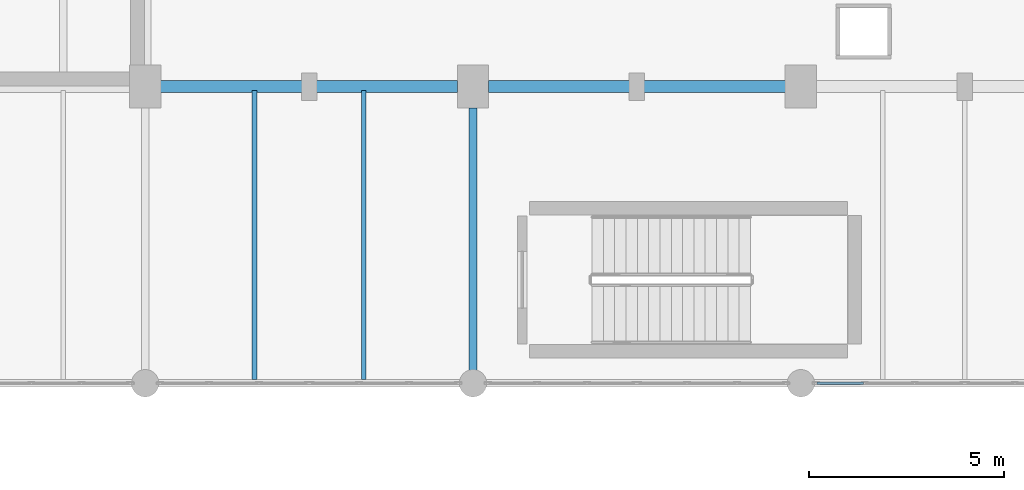
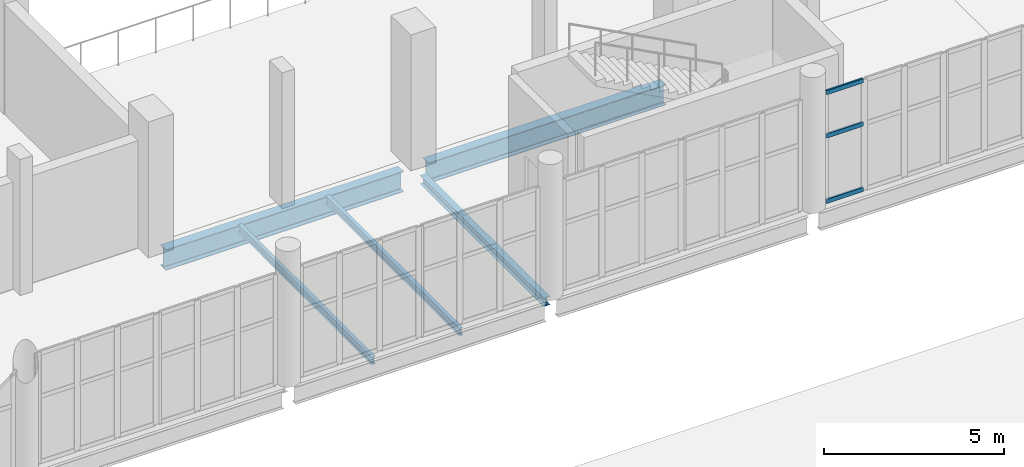
# One storey, part 52 of 136: 5 beams, 3 members, 1 element without a shape of its own.
"""IFC4 building model written with IfcOpenShell, lengths in metres."""

from ifc_helpers import new_model, si_unit, direction, frame, origin, origin_2d, place, context, subcontext, project, spatial, hollow_rectangle, i_section, extrude, material, material_profile, profile_set, type_object, element, aggregate, save


model = new_model("IFC4")

# Units and contexts
model_context = context("Model", 3, precision=1e-05, world=origin(), true_north=direction((0.0, 1.0)))
body_context = subcontext(model_context, "Body", "Model", "MODEL_VIEW")
ifc_project = project(units=[si_unit("LENGTHUNIT", "METRE"), si_unit("AREAUNIT", "SQUARE_METRE"), si_unit("VOLUMEUNIT", "CUBIC_METRE"), si_unit("PLANEANGLEUNIT", "RADIAN"), si_unit("MASSUNIT", "GRAM", prefix="KILO")], contexts=[model_context])

# Site, building, storey
site_placement = place(None, origin())
site = spatial("IfcSite", under=ifc_project, at=site_placement, CompositionType="ELEMENT")
building_placement = place(site_placement, origin())
building = spatial("IfcBuilding", under=site, at=building_placement, Name="Shengluoqiao Park Theatre", CompositionType="ELEMENT")
storey_placement = place(building_placement, frame((0.0, 0.0, 10.0)))
storey = spatial("IfcBuildingStorey", under=building, at=storey_placement, Name="L02", CompositionType="ELEMENT", Elevation=10.0)

# Curtain wall, members
ifc_material_1 = material(Name="Aluminium 6063-T6", Category="aluminium")
curtain_wall_type = type_object("IfcCurtainWallType", Name="ENV-CW-PROM", PredefinedType="NOTDEFINED", material=ifc_material_1)
curtain_wall_placement = place(storey_placement, origin())
curtain_wall = element("IfcCurtainWall", 1, at=curtain_wall_placement, inside=storey, type_object=curtain_wall_type, Name="L02 Curtain Wall CW-L02-0074", PredefinedType="NOTDEFINED")
ifc_material_profile_1 = material_profile(ifc_material_1, hollow_rectangle(XDim=0.06494140625, YDim=0.14990234375, WallThickness=0.00390625, InnerFilletRadius=0.00390625, OuterFilletRadius=0.008056640625, at=origin_2d()), Name="ALU TRANSOM 150x65x4")
ifc_profile_set_1 = profile_set([ifc_material_profile_1], Name="Aluminium 6063-T6")
member_type = type_object("IfcMemberType", Name="ENV-TRN-150", PredefinedType="USERDEFINED", material=ifc_profile_set_1)
member_1_placement = place(storey_placement, frame((78.4189453125, 68.39990234375, 0.032470703125), z_axis=(1.0, 0.0, 0.0), x_axis=(0.0, 1.0, 0.0)))
member_1 = element("IfcMember", 2, at=member_1_placement, type_object=member_type, Name="CW-04 transom 1.1", ObjectType="TRANSOM", PredefinedType="USERDEFINED", context=body_context, shape_type="SweptSolid", body=[
    extrude(hollow_rectangle(XDim=0.06494140625, YDim=0.14990234375, WallThickness=0.00390625, InnerFilletRadius=0.00390625, OuterFilletRadius=0.008056640625, at=origin_2d()), origin(), (0.0, 0.0, 1.0), 1.1845703125),
])
member_2_placement = place(storey_placement, frame((78.4189453125, 68.39990234375, 2.2451171875), z_axis=(1.0, 0.0, 0.0), x_axis=(0.0, 1.0, 0.0)))
member_2 = element("IfcMember", 3, at=member_2_placement, type_object=member_type, Name="CW-04 transom 1.2", ObjectType="TRANSOM", PredefinedType="USERDEFINED", context=body_context, shape_type="SweptSolid", body=[
    extrude(hollow_rectangle(XDim=0.06494140625, YDim=0.14990234375, WallThickness=0.00390625, InnerFilletRadius=0.00390625, OuterFilletRadius=0.008056640625, at=origin_2d()), origin(), (0.0, 0.0, 1.0), 1.1845703125),
])
member_3_placement = place(storey_placement, frame((78.4189453125, 68.39990234375, 3.70947265625), z_axis=(1.0, 0.0, 0.0), x_axis=(0.0, 1.0, 0.0)))
member_3 = element("IfcMember", 4, at=member_3_placement, type_object=member_type, Name="CW-04 transom 1.3", ObjectType="TRANSOM", PredefinedType="USERDEFINED", context=body_context, shape_type="SweptSolid", body=[
    extrude(hollow_rectangle(XDim=0.06494140625, YDim=0.14990234375, WallThickness=0.00390625, InnerFilletRadius=0.00390625, OuterFilletRadius=0.008056640625, at=origin_2d()), origin(), (0.0, 0.0, 1.0), 1.1845703125),
])
aggregate(curtain_wall, [member_1, member_2, member_3])

# Beams
ifc_material_2 = material(Name="Steel Q355", Category="steel")
ifc_material_profile_2 = material_profile(ifc_material_2, i_section(OverallWidth=0.199951171875, OverallDepth=0.2939453125, WebThickness=0.008056640625, FlangeThickness=0.011962890625, FilletRadius=0.01611328125, at=origin_2d()), Name="HM 294x200x8x12")
ifc_profile_set_2 = profile_set([ifc_material_profile_2], Name="Steel Q355")
beam_type_1 = type_object("IfcBeamType", Name="STR-BM-G-HM294", PredefinedType="BEAM", material=ifc_profile_set_2)
beam_placement = place(storey_placement, frame((69.60009765625, 68.593994140625, -0.39697265625), z_axis=(0.0, 1.0, 0.0), x_axis=(-1.0, 0.0, 0.0)))
element("IfcBeam", 5, at=beam_placement, inside=storey, type_object=beam_type_1, Name="L02 Transverse Girder 00993", PredefinedType="BEAM", context=body_context, shape_type="SweptSolid", body=[
    extrude(i_section(OverallWidth=0.199951171875, OverallDepth=0.2939453125, WebThickness=0.008056640625, FlangeThickness=0.011962890625, FilletRadius=0.01611328125, at=origin_2d()), origin(), (0.0, 0.0, 1.0), 6.862060546875),
])
ifc_material_3 = material(Name="Steel Q390", Category="steel")
ifc_material_profile_3 = material_profile(ifc_material_3, i_section(OverallWidth=0.300048828125, OverallDepth=0.699951171875, WebThickness=0.012939453125, FlangeThickness=0.02392578125, FilletRadius=0.02392578125, at=origin_2d()), Name="HN 700x300x13x24")
ifc_profile_set_3 = profile_set([ifc_material_profile_3], Name="Steel Q390")
beam_type_2 = type_object("IfcBeamType", Name="STR-BM-G-HN700", PredefinedType="BEAM", material=ifc_profile_set_3)
for number, where, z_axis, x_axis, name in (
    (6, (61.593994140625, 76.0, -0.60009765625), (1.0, 0.0, 0.0), (0.0, 1.0, 0.0), "L02 Primary Girder 00830"),
    (7, (69.993896484375, 76.0, -0.60009765625), (1.0, 0.0, 0.0), (0.0, 1.0, 0.0), "L02 Primary Girder 00831"),
):
    element("IfcBeam", number, at=place(storey_placement, frame(where, z_axis=z_axis, x_axis=x_axis)), inside=storey, type_object=beam_type_2, Name=name, PredefinedType="BEAM", context=body_context, shape_type="SweptSolid", body=[
        extrude(i_section(OverallWidth=0.300048828125, OverallDepth=0.699951171875, WebThickness=0.012939453125, FlangeThickness=0.02392578125, FilletRadius=0.02392578125, at=origin_2d()), origin(), (0.0, 0.0, 1.0), 7.612060546875),
    ])
ifc_material_profile_4 = material_profile(ifc_material_2, i_section(OverallWidth=0.125, OverallDepth=0.25, WebThickness=0.006103515625, FlangeThickness=0.009033203125, FilletRadius=0.010009765625, at=origin_2d()), Name="HN 250x125x6x9")
ifc_profile_set_4 = profile_set([ifc_material_profile_4], Name="Steel Q355")
beam_type_3 = type_object("IfcBeamType", Name="STR-BM-J-HN250", PredefinedType="JOIST", material=ifc_profile_set_4)
for number, where, z_axis, x_axis, name in (
    (8, (64.0, 68.494384765625, -0.375), (0.0, 1.0, 0.0), (-1.0, 0.0, 0.0), "L02 Composite Joist 01000"),
    (9, (66.800048828125, 68.494384765625, -0.375), (0.0, 1.0, 0.0), (-1.0, 0.0, 0.0), "L02 Composite Joist 01001"),
):
    element("IfcBeam", number, at=place(storey_placement, frame(where, z_axis=z_axis, x_axis=x_axis)), inside=storey, type_object=beam_type_3, Name=name, PredefinedType="JOIST", context=body_context, shape_type="SweptSolid", body=[
        extrude(i_section(OverallWidth=0.125, OverallDepth=0.25, WebThickness=0.006103515625, FlangeThickness=0.009033203125, FilletRadius=0.010009765625, at=origin_2d()), origin(), (0.0, 0.0, 1.0), 7.4111328125),
    ])

save(model, "model.ifc")
